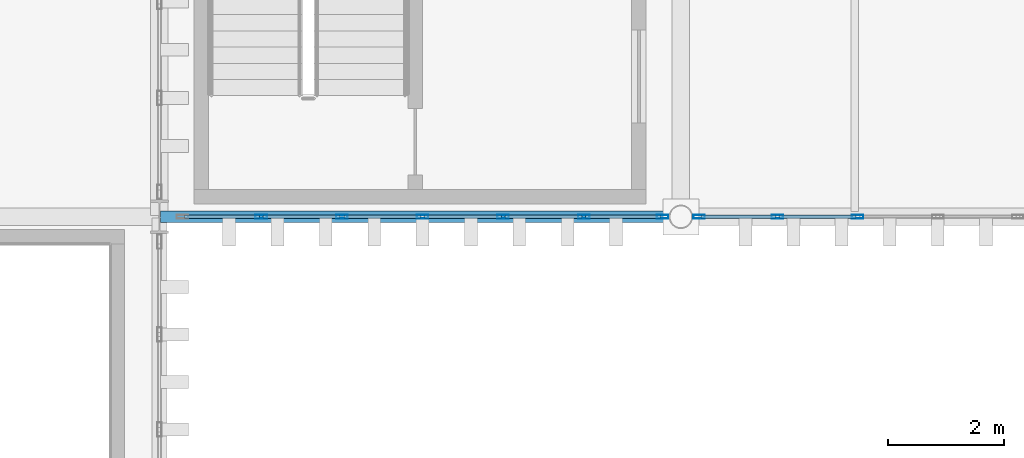
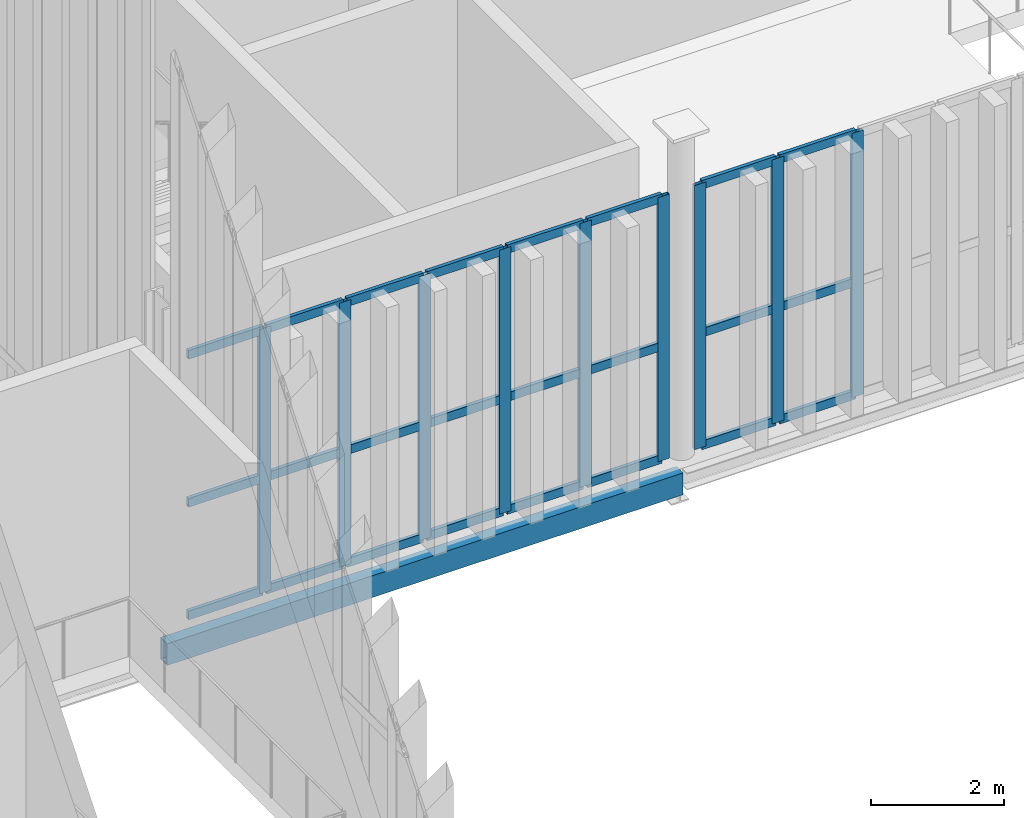
# One storey, part 78 of 237: 33 members, 1 beam, 2 elements without a shape of their own.
"""IFC4 building model written with IfcOpenShell, lengths in metres."""

from ifc_helpers import new_model, si_unit, direction, frame, origin, origin_2d, place, context, subcontext, project, spatial, hollow_rectangle, extrude, material, layer, layer_set, material_profile, profile_set, type_object, element, aggregate, save


model = new_model("IFC4")

# Units and contexts
model_context = context("Model", 3, precision=1e-05, world=origin(), true_north=direction((0.0, 1.0)))
body_context = subcontext(model_context, "Body", "Model", "MODEL_VIEW")
ifc_project = project(units=[si_unit("LENGTHUNIT", "METRE"), si_unit("AREAUNIT", "SQUARE_METRE"), si_unit("VOLUMEUNIT", "CUBIC_METRE"), si_unit("PLANEANGLEUNIT", "RADIAN"), si_unit("MASSUNIT", "GRAM", prefix="KILO")], contexts=[model_context])

# Site, building, storey
site_placement = place(None, origin())
site = spatial("IfcSite", under=ifc_project, at=site_placement, CompositionType="ELEMENT")
building_placement = place(site_placement, origin())
building = spatial("IfcBuilding", under=site, at=building_placement, Name="Barlavento Convention Centre", CompositionType="ELEMENT")
storey_placement = place(building_placement, frame((0.0, 0.0, 12.0)))
storey = spatial("IfcBuildingStorey", under=building, at=storey_placement, Name="L02", CompositionType="ELEMENT", Elevation=12.0)

# Curtain wall, members
ifc_material_1 = material(Name="Powder-coated aluminium and Low-E glass", Category="aluminium")
ifc_layer = layer(ifc_material_1, 0.195068359375)
ifc_layer_set = layer_set([ifc_layer], Name="ARC-CW-BALL-L02")
curtain_wall_type = type_object("IfcCurtainWallType", Name="ARC-CW-BALL-L02", PredefinedType="NOTDEFINED", material=ifc_layer_set)
curtain_wall_1_placement = place(storey_placement, origin())
curtain_wall_1 = element("IfcCurtainWall", 1, at=curtain_wall_1_placement, inside=storey, type_object=curtain_wall_type, Name="L02 unitised curtain wall CW07", PredefinedType="NOTDEFINED")
ifc_material_2 = material(Name="Powder-coated aluminium", Category="aluminium")
ifc_material_profile_1 = material_profile(ifc_material_2, hollow_rectangle(XDim=0.06494140625, YDim=0.199951171875, WallThickness=0.0048828125, at=origin_2d()), Name="AL-MULL 65x200x5")
ifc_profile_set_1 = profile_set([ifc_material_profile_1], Name="Powder-coated aluminium")
member_type_1 = type_object("IfcMemberType", Name="ARC-CWM-65X200", PredefinedType="MULLION", material=ifc_profile_set_1)
member_1_placement = place(storey_placement, frame((64.7578125, 45.0, 0.0), z_axis=(0.0, 0.0, 1.0), x_axis=(0.0, 1.0, 0.0)))
member_1 = element("IfcMember", 2, at=member_1_placement, type_object=member_type_1, Name="CW07 mullion 2", PredefinedType="MULLION", context=body_context, shape_type="SweptSolid", body=[
    extrude(hollow_rectangle(XDim=0.06494140625, YDim=0.199951171875, WallThickness=0.0048828125, at=origin_2d()), origin(), (0.0, 0.0, 1.0), 4.85009765625),
])
member_2_placement = place(storey_placement, frame((66.149658203125, 45.0, 0.0), z_axis=(0.0, 0.0, 1.0), x_axis=(0.0, 1.0, 0.0)))
member_2 = element("IfcMember", 3, at=member_2_placement, type_object=member_type_1, Name="CW07 mullion 3", PredefinedType="MULLION", context=body_context, shape_type="SweptSolid", body=[
    extrude(hollow_rectangle(XDim=0.06494140625, YDim=0.199951171875, WallThickness=0.0048828125, at=origin_2d()), origin(), (0.0, 0.0, 1.0), 4.85009765625),
])
member_3_placement = place(storey_placement, frame((67.54150390625, 45.0, 0.0), z_axis=(0.0, 0.0, 1.0), x_axis=(0.0, 1.0, 0.0)))
member_3 = element("IfcMember", 4, at=member_3_placement, type_object=member_type_1, Name="CW07 mullion 4", PredefinedType="MULLION", context=body_context, shape_type="SweptSolid", body=[
    extrude(hollow_rectangle(XDim=0.06494140625, YDim=0.199951171875, WallThickness=0.0048828125, at=origin_2d()), origin(), (0.0, 0.0, 1.0), 4.85009765625),
])
member_4_placement = place(storey_placement, frame((68.93310546875, 45.0, 0.0), z_axis=(0.0, 0.0, 1.0), x_axis=(0.0, 1.0, 0.0)))
member_4 = element("IfcMember", 5, at=member_4_placement, type_object=member_type_1, Name="CW07 mullion 5", PredefinedType="MULLION", context=body_context, shape_type="SweptSolid", body=[
    extrude(hollow_rectangle(XDim=0.06494140625, YDim=0.199951171875, WallThickness=0.0048828125, at=origin_2d()), origin(), (0.0, 0.0, 1.0), 4.85009765625),
])
member_5_placement = place(storey_placement, frame((70.324951171875, 45.0, 0.0), z_axis=(0.0, 0.0, 1.0), x_axis=(0.0, 1.0, 0.0)))
member_5 = element("IfcMember", 6, at=member_5_placement, type_object=member_type_1, Name="CW07 mullion 6", PredefinedType="MULLION", context=body_context, shape_type="SweptSolid", body=[
    extrude(hollow_rectangle(XDim=0.06494140625, YDim=0.199951171875, WallThickness=0.0048828125, at=origin_2d()), origin(), (0.0, 0.0, 1.0), 4.85009765625),
])
member_6_placement = place(storey_placement, frame((71.684326171875, 45.0, 0.0), z_axis=(0.0, 0.0, 1.0), x_axis=(0.0, 1.0, 0.0)))
member_6 = element("IfcMember", 7, at=member_6_placement, type_object=member_type_1, Name="CW07 mullion 7", PredefinedType="MULLION", context=body_context, shape_type="SweptSolid", body=[
    extrude(hollow_rectangle(XDim=0.06494140625, YDim=0.199951171875, WallThickness=0.0048828125, at=origin_2d()), origin(), (0.0, 0.0, 1.0), 4.85009765625),
])

curtain_wall_2_placement = place(storey_placement, origin())
curtain_wall_2 = element("IfcCurtainWall", 8, at=curtain_wall_2_placement, inside=storey, type_object=curtain_wall_type, Name="L02 unitised curtain wall CW07", PredefinedType="NOTDEFINED")
member_7_placement = place(storey_placement, frame((72.315673828125, 45.0, 0.0), z_axis=(0.0, 0.0, 1.0), x_axis=(0.0, 1.0, 0.0)))
member_7 = element("IfcMember", 9, at=member_7_placement, type_object=member_type_1, Name="CW07 mullion 1", PredefinedType="MULLION", context=body_context, shape_type="SweptSolid", body=[
    extrude(hollow_rectangle(XDim=0.06494140625, YDim=0.199951171875, WallThickness=0.0048828125, at=origin_2d()), origin(), (0.0, 0.0, 1.0), 4.85009765625),
])
member_8_placement = place(storey_placement, frame((73.6669921875, 45.0, 0.0), z_axis=(0.0, 0.0, 1.0), x_axis=(0.0, 1.0, 0.0)))
member_8 = element("IfcMember", 10, at=member_8_placement, type_object=member_type_1, Name="CW07 mullion 2", PredefinedType="MULLION", context=body_context, shape_type="SweptSolid", body=[
    extrude(hollow_rectangle(XDim=0.06494140625, YDim=0.199951171875, WallThickness=0.0048828125, at=origin_2d()), origin(), (0.0, 0.0, 1.0), 4.85009765625),
])
member_9_placement = place(storey_placement, frame((75.05078125, 45.0, 0.0), z_axis=(0.0, 0.0, 1.0), x_axis=(0.0, 1.0, 0.0)))
member_9 = element("IfcMember", 11, at=member_9_placement, type_object=member_type_1, Name="CW07 mullion 3", PredefinedType="MULLION", context=body_context, shape_type="SweptSolid", body=[
    extrude(hollow_rectangle(XDim=0.06494140625, YDim=0.199951171875, WallThickness=0.0048828125, at=origin_2d()), origin(), (0.0, 0.0, 1.0), 4.85009765625),
])

# Member
ifc_material_profile_2 = material_profile(ifc_material_2, hollow_rectangle(XDim=0.06494140625, YDim=0.159912109375, WallThickness=0.0048828125, at=origin_2d()), Name="AL-TRAN 65x160x5")
ifc_profile_set_2 = profile_set([ifc_material_profile_2], Name="Powder-coated aluminium")
member_type_2 = type_object("IfcMemberType", Name="ARC-CWT-65X160", PredefinedType="USERDEFINED", material=ifc_profile_set_2)
member_10_placement = place(storey_placement, frame((63.430908203125, 45.0, 0.032470703125), z_axis=(1.0, 0.0, 0.0), x_axis=(0.0, 1.0, 0.0)))
member_10 = element("IfcMember", 12, at=member_10_placement, type_object=member_type_2, Name="CW07 transom 1.1", ObjectType="TRANSOM", PredefinedType="USERDEFINED", context=body_context, shape_type="SweptSolid", body=[
    extrude(hollow_rectangle(XDim=0.06494140625, YDim=0.159912109375, WallThickness=0.0048828125, at=origin_2d()), origin(), (0.0, 0.0, 1.0), 1.29443359375),
])

member_11_placement = place(storey_placement, frame((63.430908203125, 45.0, 2.10009765625), z_axis=(1.0, 0.0, 0.0), x_axis=(0.0, 1.0, 0.0)))
member_11 = element("IfcMember", 13, at=member_11_placement, type_object=member_type_2, Name="CW07 transom 1.2", ObjectType="TRANSOM", PredefinedType="USERDEFINED", context=body_context, shape_type="SweptSolid", body=[
    extrude(hollow_rectangle(XDim=0.06494140625, YDim=0.159912109375, WallThickness=0.0048828125, at=origin_2d()), origin(), (0.0, 0.0, 1.0), 1.29443359375),
])

member_12_placement = place(storey_placement, frame((63.430908203125, 45.0, 4.8173828125), z_axis=(1.0, 0.0, 0.0), x_axis=(0.0, 1.0, 0.0)))
member_12 = element("IfcMember", 14, at=member_12_placement, type_object=member_type_2, Name="CW07 transom 1.3", ObjectType="TRANSOM", PredefinedType="USERDEFINED", context=body_context, shape_type="SweptSolid", body=[
    extrude(hollow_rectangle(XDim=0.06494140625, YDim=0.159912109375, WallThickness=0.0048828125, at=origin_2d()), origin(), (0.0, 0.0, 1.0), 1.29443359375),
])

member_13_placement = place(storey_placement, frame((64.790283203125, 45.0, 0.032470703125), z_axis=(1.0, 0.0, 0.0), x_axis=(0.0, 1.0, 0.0)))
member_13 = element("IfcMember", 15, at=member_13_placement, type_object=member_type_2, Name="CW07 transom 2.1", ObjectType="TRANSOM", PredefinedType="USERDEFINED", context=body_context, shape_type="SweptSolid", body=[
    extrude(hollow_rectangle(XDim=0.06494140625, YDim=0.159912109375, WallThickness=0.0048828125, at=origin_2d()), origin(), (0.0, 0.0, 1.0), 1.326904296875),
])

member_14_placement = place(storey_placement, frame((64.790283203125, 45.0, 2.10009765625), z_axis=(1.0, 0.0, 0.0), x_axis=(0.0, 1.0, 0.0)))
member_14 = element("IfcMember", 16, at=member_14_placement, type_object=member_type_2, Name="CW07 transom 2.2", ObjectType="TRANSOM", PredefinedType="USERDEFINED", context=body_context, shape_type="SweptSolid", body=[
    extrude(hollow_rectangle(XDim=0.06494140625, YDim=0.159912109375, WallThickness=0.0048828125, at=origin_2d()), origin(), (0.0, 0.0, 1.0), 1.326904296875),
])

member_15_placement = place(storey_placement, frame((64.790283203125, 45.0, 4.8173828125), z_axis=(1.0, 0.0, 0.0), x_axis=(0.0, 1.0, 0.0)))
member_15 = element("IfcMember", 17, at=member_15_placement, type_object=member_type_2, Name="CW07 transom 2.3", ObjectType="TRANSOM", PredefinedType="USERDEFINED", context=body_context, shape_type="SweptSolid", body=[
    extrude(hollow_rectangle(XDim=0.06494140625, YDim=0.159912109375, WallThickness=0.0048828125, at=origin_2d()), origin(), (0.0, 0.0, 1.0), 1.326904296875),
])

member_16_placement = place(storey_placement, frame((66.18212890625, 45.0, 0.032470703125), z_axis=(1.0, 0.0, 0.0), x_axis=(0.0, 1.0, 0.0)))
member_16 = element("IfcMember", 18, at=member_16_placement, type_object=member_type_2, Name="CW07 transom 3.1", ObjectType="TRANSOM", PredefinedType="USERDEFINED", context=body_context, shape_type="SweptSolid", body=[
    extrude(hollow_rectangle(XDim=0.06494140625, YDim=0.159912109375, WallThickness=0.0048828125, at=origin_2d()), origin(), (0.0, 0.0, 1.0), 1.32666015625),
])

member_17_placement = place(storey_placement, frame((66.18212890625, 45.0, 2.10009765625), z_axis=(1.0, 0.0, 0.0), x_axis=(0.0, 1.0, 0.0)))
member_17 = element("IfcMember", 19, at=member_17_placement, type_object=member_type_2, Name="CW07 transom 3.2", ObjectType="TRANSOM", PredefinedType="USERDEFINED", context=body_context, shape_type="SweptSolid", body=[
    extrude(hollow_rectangle(XDim=0.06494140625, YDim=0.159912109375, WallThickness=0.0048828125, at=origin_2d()), origin(), (0.0, 0.0, 1.0), 1.32666015625),
])

member_18_placement = place(storey_placement, frame((66.18212890625, 45.0, 4.8173828125), z_axis=(1.0, 0.0, 0.0), x_axis=(0.0, 1.0, 0.0)))
member_18 = element("IfcMember", 20, at=member_18_placement, type_object=member_type_2, Name="CW07 transom 3.3", ObjectType="TRANSOM", PredefinedType="USERDEFINED", context=body_context, shape_type="SweptSolid", body=[
    extrude(hollow_rectangle(XDim=0.06494140625, YDim=0.159912109375, WallThickness=0.0048828125, at=origin_2d()), origin(), (0.0, 0.0, 1.0), 1.32666015625),
])

member_19_placement = place(storey_placement, frame((67.573974609375, 45.0, 0.032470703125), z_axis=(1.0, 0.0, 0.0), x_axis=(0.0, 1.0, 0.0)))
member_19 = element("IfcMember", 21, at=member_19_placement, type_object=member_type_2, Name="CW07 transom 4.1", ObjectType="TRANSOM", PredefinedType="USERDEFINED", context=body_context, shape_type="SweptSolid", body=[
    extrude(hollow_rectangle(XDim=0.06494140625, YDim=0.159912109375, WallThickness=0.0048828125, at=origin_2d()), origin(), (0.0, 0.0, 1.0), 1.32666015625),
])

member_20_placement = place(storey_placement, frame((67.573974609375, 45.0, 2.10009765625), z_axis=(1.0, 0.0, 0.0), x_axis=(0.0, 1.0, 0.0)))
member_20 = element("IfcMember", 22, at=member_20_placement, type_object=member_type_2, Name="CW07 transom 4.2", ObjectType="TRANSOM", PredefinedType="USERDEFINED", context=body_context, shape_type="SweptSolid", body=[
    extrude(hollow_rectangle(XDim=0.06494140625, YDim=0.159912109375, WallThickness=0.0048828125, at=origin_2d()), origin(), (0.0, 0.0, 1.0), 1.32666015625),
])

member_21_placement = place(storey_placement, frame((67.573974609375, 45.0, 4.8173828125), z_axis=(1.0, 0.0, 0.0), x_axis=(0.0, 1.0, 0.0)))
member_21 = element("IfcMember", 23, at=member_21_placement, type_object=member_type_2, Name="CW07 transom 4.3", ObjectType="TRANSOM", PredefinedType="USERDEFINED", context=body_context, shape_type="SweptSolid", body=[
    extrude(hollow_rectangle(XDim=0.06494140625, YDim=0.159912109375, WallThickness=0.0048828125, at=origin_2d()), origin(), (0.0, 0.0, 1.0), 1.32666015625),
])

member_22_placement = place(storey_placement, frame((68.9658203125, 45.0, 0.032470703125), z_axis=(1.0, 0.0, 0.0), x_axis=(0.0, 1.0, 0.0)))
member_22 = element("IfcMember", 24, at=member_22_placement, type_object=member_type_2, Name="CW07 transom 5.1", ObjectType="TRANSOM", PredefinedType="USERDEFINED", context=body_context, shape_type="SweptSolid", body=[
    extrude(hollow_rectangle(XDim=0.06494140625, YDim=0.159912109375, WallThickness=0.0048828125, at=origin_2d()), origin(), (0.0, 0.0, 1.0), 1.32666015625),
])

member_23_placement = place(storey_placement, frame((68.9658203125, 45.0, 2.10009765625), z_axis=(1.0, 0.0, 0.0), x_axis=(0.0, 1.0, 0.0)))
member_23 = element("IfcMember", 25, at=member_23_placement, type_object=member_type_2, Name="CW07 transom 5.2", ObjectType="TRANSOM", PredefinedType="USERDEFINED", context=body_context, shape_type="SweptSolid", body=[
    extrude(hollow_rectangle(XDim=0.06494140625, YDim=0.159912109375, WallThickness=0.0048828125, at=origin_2d()), origin(), (0.0, 0.0, 1.0), 1.32666015625),
])

member_24_placement = place(storey_placement, frame((68.9658203125, 45.0, 4.8173828125), z_axis=(1.0, 0.0, 0.0), x_axis=(0.0, 1.0, 0.0)))
member_24 = element("IfcMember", 26, at=member_24_placement, type_object=member_type_2, Name="CW07 transom 5.3", ObjectType="TRANSOM", PredefinedType="USERDEFINED", context=body_context, shape_type="SweptSolid", body=[
    extrude(hollow_rectangle(XDim=0.06494140625, YDim=0.159912109375, WallThickness=0.0048828125, at=origin_2d()), origin(), (0.0, 0.0, 1.0), 1.32666015625),
])

member_25_placement = place(storey_placement, frame((70.357421875, 45.0, 0.032470703125), z_axis=(1.0, 0.0, 0.0), x_axis=(0.0, 1.0, 0.0)))
member_25 = element("IfcMember", 27, at=member_25_placement, type_object=member_type_2, Name="CW07 transom 6.1", ObjectType="TRANSOM", PredefinedType="USERDEFINED", context=body_context, shape_type="SweptSolid", body=[
    extrude(hollow_rectangle(XDim=0.06494140625, YDim=0.159912109375, WallThickness=0.0048828125, at=origin_2d()), origin(), (0.0, 0.0, 1.0), 1.29443359375),
])

member_26_placement = place(storey_placement, frame((70.357421875, 45.0, 2.10009765625), z_axis=(1.0, 0.0, 0.0), x_axis=(0.0, 1.0, 0.0)))
member_26 = element("IfcMember", 28, at=member_26_placement, type_object=member_type_2, Name="CW07 transom 6.2", ObjectType="TRANSOM", PredefinedType="USERDEFINED", context=body_context, shape_type="SweptSolid", body=[
    extrude(hollow_rectangle(XDim=0.06494140625, YDim=0.159912109375, WallThickness=0.0048828125, at=origin_2d()), origin(), (0.0, 0.0, 1.0), 1.29443359375),
])

member_27_placement = place(storey_placement, frame((70.357421875, 45.0, 4.8173828125), z_axis=(1.0, 0.0, 0.0), x_axis=(0.0, 1.0, 0.0)))
member_27 = element("IfcMember", 29, at=member_27_placement, type_object=member_type_2, Name="CW07 transom 6.3", ObjectType="TRANSOM", PredefinedType="USERDEFINED", context=body_context, shape_type="SweptSolid", body=[
    extrude(hollow_rectangle(XDim=0.06494140625, YDim=0.159912109375, WallThickness=0.0048828125, at=origin_2d()), origin(), (0.0, 0.0, 1.0), 1.29443359375),
])

aggregate(curtain_wall_1, [member_1, member_2, member_3, member_4, member_5, member_6, member_10, member_11, member_12, member_13, member_14, member_15, member_16, member_17, member_18, member_19, member_20, member_21, member_22, member_23, member_24, member_25, member_26, member_27])

member_28_placement = place(storey_placement, frame((72.34814453125, 45.0, 0.032470703125), z_axis=(1.0, 0.0, 0.0), x_axis=(0.0, 1.0, 0.0)))
member_28 = element("IfcMember", 30, at=member_28_placement, type_object=member_type_2, Name="CW07 transom 1.1", ObjectType="TRANSOM", PredefinedType="USERDEFINED", context=body_context, shape_type="SweptSolid", body=[
    extrude(hollow_rectangle(XDim=0.06494140625, YDim=0.159912109375, WallThickness=0.0048828125, at=origin_2d()), origin(), (0.0, 0.0, 1.0), 1.286376953125),
])

member_29_placement = place(storey_placement, frame((72.34814453125, 45.0, 2.10009765625), z_axis=(1.0, 0.0, 0.0), x_axis=(0.0, 1.0, 0.0)))
member_29 = element("IfcMember", 31, at=member_29_placement, type_object=member_type_2, Name="CW07 transom 1.2", ObjectType="TRANSOM", PredefinedType="USERDEFINED", context=body_context, shape_type="SweptSolid", body=[
    extrude(hollow_rectangle(XDim=0.06494140625, YDim=0.159912109375, WallThickness=0.0048828125, at=origin_2d()), origin(), (0.0, 0.0, 1.0), 1.286376953125),
])

member_30_placement = place(storey_placement, frame((72.34814453125, 45.0, 4.8173828125), z_axis=(1.0, 0.0, 0.0), x_axis=(0.0, 1.0, 0.0)))
member_30 = element("IfcMember", 32, at=member_30_placement, type_object=member_type_2, Name="CW07 transom 1.3", ObjectType="TRANSOM", PredefinedType="USERDEFINED", context=body_context, shape_type="SweptSolid", body=[
    extrude(hollow_rectangle(XDim=0.06494140625, YDim=0.159912109375, WallThickness=0.0048828125, at=origin_2d()), origin(), (0.0, 0.0, 1.0), 1.286376953125),
])

member_31_placement = place(storey_placement, frame((73.699462890625, 45.0, 0.032470703125), z_axis=(1.0, 0.0, 0.0), x_axis=(0.0, 1.0, 0.0)))
member_31 = element("IfcMember", 33, at=member_31_placement, type_object=member_type_2, Name="CW07 transom 2.1", ObjectType="TRANSOM", PredefinedType="USERDEFINED", context=body_context, shape_type="SweptSolid", body=[
    extrude(hollow_rectangle(XDim=0.06494140625, YDim=0.159912109375, WallThickness=0.0048828125, at=origin_2d()), origin(), (0.0, 0.0, 1.0), 1.31884765625),
])

member_32_placement = place(storey_placement, frame((73.699462890625, 45.0, 2.10009765625), z_axis=(1.0, 0.0, 0.0), x_axis=(0.0, 1.0, 0.0)))
member_32 = element("IfcMember", 34, at=member_32_placement, type_object=member_type_2, Name="CW07 transom 2.2", ObjectType="TRANSOM", PredefinedType="USERDEFINED", context=body_context, shape_type="SweptSolid", body=[
    extrude(hollow_rectangle(XDim=0.06494140625, YDim=0.159912109375, WallThickness=0.0048828125, at=origin_2d()), origin(), (0.0, 0.0, 1.0), 1.31884765625),
])

member_33_placement = place(storey_placement, frame((73.699462890625, 45.0, 4.8173828125), z_axis=(1.0, 0.0, 0.0), x_axis=(0.0, 1.0, 0.0)))
member_33 = element("IfcMember", 35, at=member_33_placement, type_object=member_type_2, Name="CW07 transom 2.3", ObjectType="TRANSOM", PredefinedType="USERDEFINED", context=body_context, shape_type="SweptSolid", body=[
    extrude(hollow_rectangle(XDim=0.06494140625, YDim=0.159912109375, WallThickness=0.0048828125, at=origin_2d()), origin(), (0.0, 0.0, 1.0), 1.31884765625),
])

aggregate(curtain_wall_2, [member_7, member_8, member_9, member_28, member_29, member_30, member_31, member_32, member_33])

# Beam
ifc_material_3 = material(Name="Steel S355", Category="steel")
ifc_material_profile_3 = material_profile(ifc_material_3, hollow_rectangle(XDim=0.199951171875, YDim=0.39990234375, WallThickness=0.01611328125, at=origin_2d()), Name="RHS 400x200x16.0")
ifc_profile_set_3 = profile_set([ifc_material_profile_3], Name="Steel S355")
beam_type = type_object("IfcBeamType", Name="STR-BM-SPN-RHS400", PredefinedType="SPANDREL", material=ifc_profile_set_3)
beam_placement = place(storey_placement, frame((63.02001953125, 45.0, -0.5), z_axis=(1.0, 0.0, 0.0), x_axis=(0.0, 1.0, 0.0)))
element("IfcBeam", 36, at=beam_placement, inside=storey, type_object=beam_type, Name="L02 primary girder SP06", PredefinedType="SPANDREL", context=body_context, shape_type="SweptSolid", body=[
    extrude(hollow_rectangle(XDim=0.199951171875, YDim=0.39990234375, WallThickness=0.01611328125, at=origin_2d()), origin(), (0.0, 0.0, 1.0), 8.9599609375),
])

save(model, "model.ifc")
